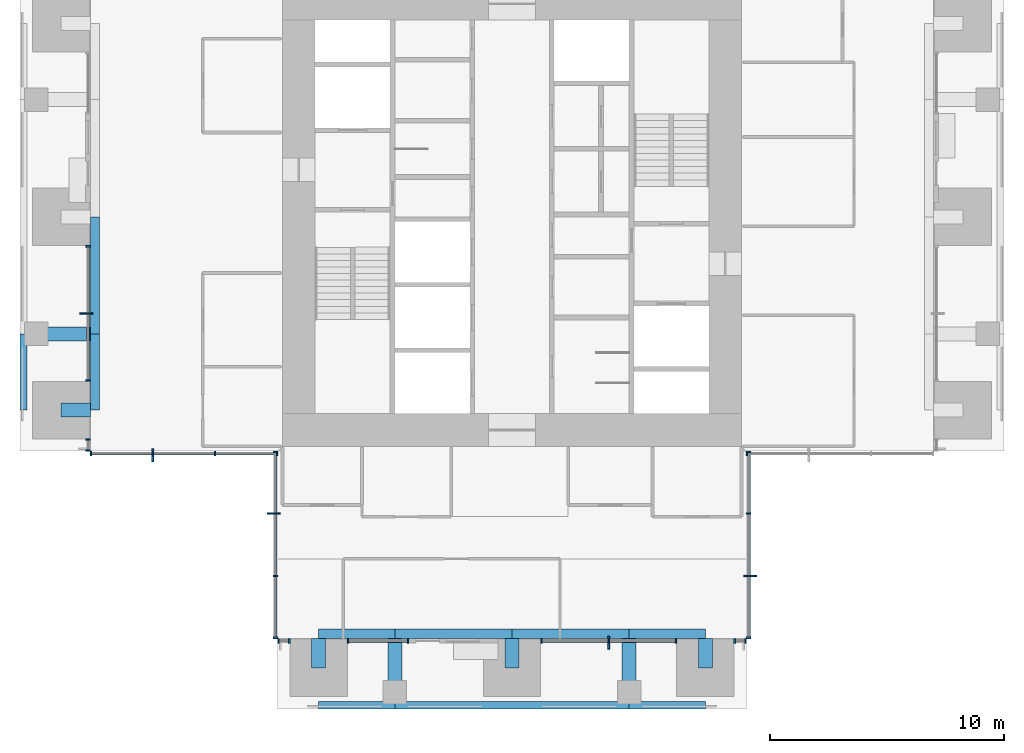
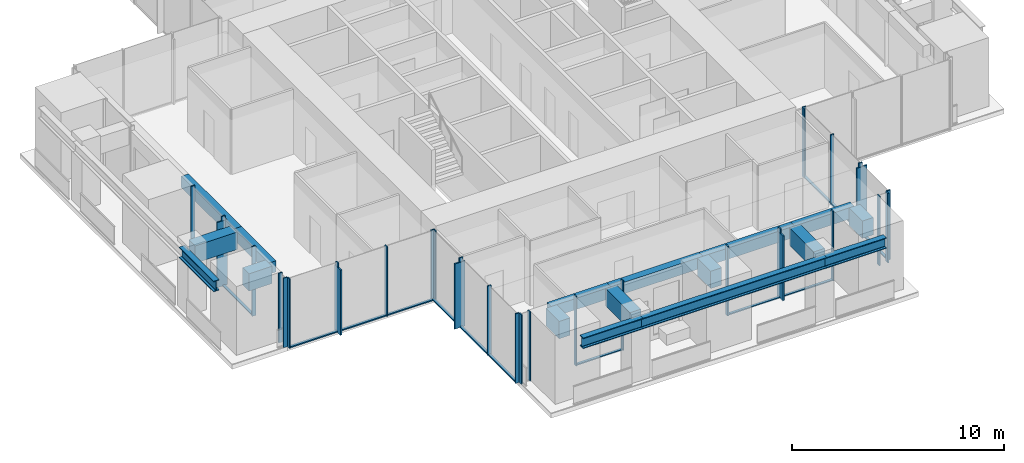
# One storey, part 2 of 17: 46 members, 17 beams, 10 elements without a shape of their own.
"""IFC4 building model written with IfcOpenShell, lengths in metres."""

from ifc_helpers import new_model, si_unit, direction, frame, origin, origin_2d, place, context, subcontext, project, spatial, rectangle, i_section, extrude, material, material_profile, profile_set, type_object, element, aggregate, save


model = new_model("IFC4")

# Units and contexts
model_context = context("Model", 3, precision=1e-05, world=origin(), true_north=direction((0.0, 1.0)))
body_context = subcontext(model_context, "Body", "Model", "MODEL_VIEW")
ifc_project = project(units=[si_unit("LENGTHUNIT", "METRE"), si_unit("AREAUNIT", "SQUARE_METRE"), si_unit("VOLUMEUNIT", "CUBIC_METRE"), si_unit("PLANEANGLEUNIT", "RADIAN"), si_unit("MASSUNIT", "GRAM", prefix="KILO")], contexts=[model_context])

# Site, building, storey
site_placement = place(None, origin())
site = spatial("IfcSite", under=ifc_project, at=site_placement, CompositionType="ELEMENT")
building_placement = place(site_placement, origin())
building = spatial("IfcBuilding", under=site, at=building_placement, Name="Svetlomir Tower", CompositionType="ELEMENT")
storey_placement = place(building_placement, frame((0.0, 0.0, 190.5)))
storey = spatial("IfcBuildingStorey", under=building, at=storey_placement, Name="L45", CompositionType="ELEMENT", Elevation=190.5)

# Curtain wall, member
ifc_material_1 = material(Name="Bronze anodised aluminium curtain wall", Category="aluminium")
curtain_wall_type = type_object("IfcCurtainWallType", Name="CURTAIN WALL CW1 TOWER OFFICE", PredefinedType="NOTDEFINED", material=ifc_material_1)
curtain_wall_1_placement = place(storey_placement, origin())
curtain_wall_1 = element("IfcCurtainWall", 1, at=curtain_wall_1_placement, inside=storey, type_object=curtain_wall_type, Name="Curtain wall CW1 L45", PredefinedType="NOTDEFINED")
ifc_material_2 = material(Name="Bronze anodised aluminium", Category="aluminium")
ifc_material_profile_1 = material_profile(ifc_material_2, rectangle(XDim=0.080078125, YDim=0.550048828125, at=origin_2d()), Name="FIN 80x550")
ifc_profile_set_1 = profile_set([ifc_material_profile_1], Name="Bronze anodised aluminium 6063-T6")
member_type_1 = type_object("IfcMemberType", Name="BRONZE FIN 80x550", PredefinedType="USERDEFINED", material=ifc_profile_set_1)
member_1_placement = place(storey_placement, frame((25.125, 2.824951171875, 0.0), z_axis=(0.0, 0.0, 1.0), x_axis=(1.0, 0.0, 0.0)))
member_1 = element("IfcMember", 2, at=member_1_placement, type_object=member_type_1, Name="Bronze fin L45", ObjectType="FIN", PredefinedType="USERDEFINED", context=body_context, shape_type="SweptSolid", body=[
    extrude(rectangle(XDim=0.080078125, YDim=0.550048828125, at=origin_2d()), origin(), (0.0, 0.0, 1.0), 3.75),
])

curtain_wall_2_placement = place(storey_placement, origin())
curtain_wall_2 = element("IfcCurtainWall", 3, at=curtain_wall_2_placement, inside=storey, type_object=curtain_wall_type, Name="Curtain wall CW1 L45", PredefinedType="NOTDEFINED")
member_2_placement = place(storey_placement, frame((31.175048828125, 5.666748046875, 0.0), z_axis=(0.0, 0.0, 1.0), x_axis=(0.0, 1.0, 0.0)))
member_2 = element("IfcMember", 4, at=member_2_placement, type_object=member_type_1, Name="Bronze fin L45", ObjectType="FIN", PredefinedType="USERDEFINED", context=body_context, shape_type="SweptSolid", body=[
    extrude(rectangle(XDim=0.080078125, YDim=0.550048828125, at=origin_2d()), origin(), (0.0, 0.0, 1.0), 3.75),
])

curtain_wall_3_placement = place(storey_placement, origin())
curtain_wall_3 = element("IfcCurtainWall", 5, at=curtain_wall_3_placement, inside=storey, type_object=curtain_wall_type, Name="Curtain wall CW1 L45", PredefinedType="NOTDEFINED")
member_3_placement = place(storey_placement, frame((2.824951171875, 16.875, 0.0), z_axis=(0.0, 0.0, 1.0), x_axis=(0.0, 1.0, 0.0)))
member_3 = element("IfcMember", 6, at=member_3_placement, type_object=member_type_1, Name="Bronze fin L45", ObjectType="FIN", PredefinedType="USERDEFINED", context=body_context, shape_type="SweptSolid", body=[
    extrude(rectangle(XDim=0.080078125, YDim=0.550048828125, at=origin_2d()), origin(), (0.0, 0.0, 1.0), 3.75),
])

curtain_wall_4_placement = place(storey_placement, origin())
curtain_wall_4 = element("IfcCurtainWall", 7, at=curtain_wall_4_placement, inside=storey, type_object=curtain_wall_type, Name="Curtain wall CW1 L45", PredefinedType="NOTDEFINED")
member_4_placement = place(storey_placement, frame((5.666748046875, 10.824951171875, 0.0), z_axis=(0.0, 0.0, 1.0), x_axis=(1.0, 0.0, 0.0)))
member_4 = element("IfcMember", 8, at=member_4_placement, type_object=member_type_1, Name="Bronze fin L45", ObjectType="FIN", PredefinedType="USERDEFINED", context=body_context, shape_type="SweptSolid", body=[
    extrude(rectangle(XDim=0.080078125, YDim=0.550048828125, at=origin_2d()), origin(), (0.0, 0.0, 1.0), 3.75),
])

curtain_wall_5_placement = place(storey_placement, origin())
curtain_wall_5 = element("IfcCurtainWall", 9, at=curtain_wall_5_placement, inside=storey, type_object=curtain_wall_type, Name="Curtain wall CW1 L45", PredefinedType="NOTDEFINED")
member_5_placement = place(storey_placement, frame((10.824951171875, 8.333251953125, 0.0), z_axis=(0.0, 0.0, 1.0), x_axis=(0.0, 1.0, 0.0)))
member_5 = element("IfcMember", 10, at=member_5_placement, type_object=member_type_1, Name="Bronze fin L45", ObjectType="FIN", PredefinedType="USERDEFINED", context=body_context, shape_type="SweptSolid", body=[
    extrude(rectangle(XDim=0.080078125, YDim=0.550048828125, at=origin_2d()), origin(), (0.0, 0.0, 1.0), 3.75),
])

# Curtain wall, members
curtain_wall_6_placement = place(storey_placement, origin())
curtain_wall_6 = element("IfcCurtainWall", 11, at=curtain_wall_6_placement, inside=storey, type_object=curtain_wall_type, Name="Curtain wall CW1 L45", PredefinedType="NOTDEFINED")
ifc_material_3 = material(Name="Bronze anodised aluminium", Category="aluminium")
ifc_material_profile_2 = material_profile(ifc_material_3, rectangle(XDim=0.06494140625, YDim=0.199951171875, at=origin_2d()), Name="AL 65x200")
ifc_profile_set_2 = profile_set([ifc_material_profile_2], Name="Bronze anodised aluminium 6063-T6")
member_type_2 = type_object("IfcMemberType", Name="CW1 MULLION 65x200", PredefinedType="MULLION", material=ifc_profile_set_2)
member_6_placement = place(storey_placement, frame((11.032470703125, 2.89990234375, 0.0), z_axis=(0.0, 0.0, 1.0), x_axis=(1.0, 0.0, 0.0)))
member_6 = element("IfcMember", 12, at=member_6_placement, type_object=member_type_2, Name="CW1 mullion 1", PredefinedType="MULLION", context=body_context, shape_type="SweptSolid", body=[
    extrude(rectangle(XDim=0.06494140625, YDim=0.199951171875, at=origin_2d()), origin(), (0.0, 0.0, 1.0), 4.0),
])
member_7_placement = place(storey_placement, frame((11.492431640625, 2.89990234375, 0.0), z_axis=(0.0, 0.0, 1.0), x_axis=(1.0, 0.0, 0.0)))
member_7 = element("IfcMember", 13, at=member_7_placement, type_object=member_type_2, Name="CW1 mullion 2", PredefinedType="MULLION", context=body_context, shape_type="SweptSolid", body=[
    extrude(rectangle(XDim=0.06494140625, YDim=0.199951171875, at=origin_2d()), origin(), (0.0, 0.0, 1.0), 4.0),
])
aggregate(curtain_wall_6, [member_6, member_7])

curtain_wall_7_placement = place(storey_placement, origin())
curtain_wall_7 = element("IfcCurtainWall", 14, at=curtain_wall_7_placement, inside=storey, type_object=curtain_wall_type, Name="Curtain wall CW1 L45", PredefinedType="NOTDEFINED")
member_8_placement = place(storey_placement, frame((14.007568359375, 2.89990234375, 0.0), z_axis=(0.0, 0.0, 1.0), x_axis=(1.0, 0.0, 0.0)))
member_8 = element("IfcMember", 15, at=member_8_placement, type_object=member_type_2, Name="CW1 mullion 1", PredefinedType="MULLION", context=body_context, shape_type="SweptSolid", body=[
    extrude(rectangle(XDim=0.06494140625, YDim=0.199951171875, at=origin_2d()), origin(), (0.0, 0.0, 1.0), 4.0),
])
member_9_placement = place(storey_placement, frame((16.5673828125, 2.89990234375, 0.0), z_axis=(0.0, 0.0, 1.0), x_axis=(1.0, 0.0, 0.0)))
member_9 = element("IfcMember", 16, at=member_9_placement, type_object=member_type_2, Name="CW1 mullion 2", PredefinedType="MULLION", context=body_context, shape_type="SweptSolid", body=[
    extrude(rectangle(XDim=0.06494140625, YDim=0.199951171875, at=origin_2d()), origin(), (0.0, 0.0, 1.0), 4.0),
])

# Member
member_10_placement = place(storey_placement, frame((22.257568359375, 2.89990234375, 0.0), z_axis=(0.0, 0.0, 1.0), x_axis=(1.0, 0.0, 0.0)))
member_10 = element("IfcMember", 17, at=member_10_placement, type_object=member_type_2, Name="CW1 mullion 1", PredefinedType="MULLION", context=body_context, shape_type="SweptSolid", body=[
    extrude(rectangle(XDim=0.06494140625, YDim=0.199951171875, at=origin_2d()), origin(), (0.0, 0.0, 1.0), 4.0),
])

member_11_placement = place(storey_placement, frame((25.125, 2.89990234375, 0.0), z_axis=(0.0, 0.0, 1.0), x_axis=(1.0, 0.0, 0.0)))
member_11 = element("IfcMember", 18, at=member_11_placement, type_object=member_type_2, Name="CW1 mullion 2", PredefinedType="MULLION", context=body_context, shape_type="SweptSolid", body=[
    extrude(rectangle(XDim=0.06494140625, YDim=0.199951171875, at=origin_2d()), origin(), (0.0, 0.0, 1.0), 4.0),
])

member_12_placement = place(storey_placement, frame((27.992431640625, 2.89990234375, 0.0), z_axis=(0.0, 0.0, 1.0), x_axis=(1.0, 0.0, 0.0)))
member_12 = element("IfcMember", 19, at=member_12_placement, type_object=member_type_2, Name="CW1 mullion 3", PredefinedType="MULLION", context=body_context, shape_type="SweptSolid", body=[
    extrude(rectangle(XDim=0.06494140625, YDim=0.199951171875, at=origin_2d()), origin(), (0.0, 0.0, 1.0), 4.0),
])

# Curtain wall, members
curtain_wall_8_placement = place(storey_placement, origin())
curtain_wall_8 = element("IfcCurtainWall", 20, at=curtain_wall_8_placement, inside=storey, type_object=curtain_wall_type, Name="Curtain wall CW1 L45", PredefinedType="NOTDEFINED")
member_13_placement = place(storey_placement, frame((30.507568359375, 2.89990234375, 0.0), z_axis=(0.0, 0.0, 1.0), x_axis=(1.0, 0.0, 0.0)))
member_13 = element("IfcMember", 21, at=member_13_placement, type_object=member_type_2, Name="CW1 mullion 1", PredefinedType="MULLION", context=body_context, shape_type="SweptSolid", body=[
    extrude(rectangle(XDim=0.06494140625, YDim=0.199951171875, at=origin_2d()), origin(), (0.0, 0.0, 1.0), 4.0),
])
member_14_placement = place(storey_placement, frame((30.967529296875, 2.89990234375, 0.0), z_axis=(0.0, 0.0, 1.0), x_axis=(1.0, 0.0, 0.0)))
member_14 = element("IfcMember", 22, at=member_14_placement, type_object=member_type_2, Name="CW1 mullion 2", PredefinedType="MULLION", context=body_context, shape_type="SweptSolid", body=[
    extrude(rectangle(XDim=0.06494140625, YDim=0.199951171875, at=origin_2d()), origin(), (0.0, 0.0, 1.0), 4.0),
])
aggregate(curtain_wall_8, [member_13, member_14])

# Member
member_15_placement = place(storey_placement, frame((31.10009765625, 3.032470703125, 0.0), z_axis=(0.0, 0.0, 1.0), x_axis=(0.0, 1.0, 0.0)))
member_15 = element("IfcMember", 23, at=member_15_placement, type_object=member_type_2, Name="CW1 mullion 1", PredefinedType="MULLION", context=body_context, shape_type="SweptSolid", body=[
    extrude(rectangle(XDim=0.06494140625, YDim=0.199951171875, at=origin_2d()), origin(), (0.0, 0.0, 1.0), 4.0),
])

member_16_placement = place(storey_placement, frame((31.10009765625, 5.666748046875, 0.0), z_axis=(0.0, 0.0, 1.0), x_axis=(0.0, 1.0, 0.0)))
member_16 = element("IfcMember", 24, at=member_16_placement, type_object=member_type_2, Name="CW1 mullion 2", PredefinedType="MULLION", context=body_context, shape_type="SweptSolid", body=[
    extrude(rectangle(XDim=0.06494140625, YDim=0.199951171875, at=origin_2d()), origin(), (0.0, 0.0, 1.0), 4.0),
])

member_17_placement = place(storey_placement, frame((31.10009765625, 8.333251953125, 0.0), z_axis=(0.0, 0.0, 1.0), x_axis=(0.0, 1.0, 0.0)))
member_17 = element("IfcMember", 25, at=member_17_placement, type_object=member_type_2, Name="CW1 mullion 3", PredefinedType="MULLION", context=body_context, shape_type="SweptSolid", body=[
    extrude(rectangle(XDim=0.06494140625, YDim=0.199951171875, at=origin_2d()), origin(), (0.0, 0.0, 1.0), 4.0),
])

member_18_placement = place(storey_placement, frame((31.10009765625, 10.967529296875, 0.0), z_axis=(0.0, 0.0, 1.0), x_axis=(0.0, 1.0, 0.0)))
member_18 = element("IfcMember", 26, at=member_18_placement, type_object=member_type_2, Name="CW1 mullion 4", PredefinedType="MULLION", context=body_context, shape_type="SweptSolid", body=[
    extrude(rectangle(XDim=0.06494140625, YDim=0.199951171875, at=origin_2d()), origin(), (0.0, 0.0, 1.0), 4.0),
])

# Curtain wall, member
curtain_wall_9_placement = place(storey_placement, origin())
curtain_wall_9 = element("IfcCurtainWall", 27, at=curtain_wall_9_placement, inside=storey, type_object=curtain_wall_type, Name="Curtain wall CW1 L45", PredefinedType="NOTDEFINED")
member_19_placement = place(storey_placement, frame((31.032470703125, 10.89990234375, 0.0), z_axis=(0.0, 0.0, 1.0), x_axis=(1.0, 0.0, 0.0)))
member_19 = element("IfcMember", 28, at=member_19_placement, type_object=member_type_2, Name="CW1 mullion 1", PredefinedType="MULLION", context=body_context, shape_type="SweptSolid", body=[
    extrude(rectangle(XDim=0.06494140625, YDim=0.199951171875, at=origin_2d()), origin(), (0.0, 0.0, 1.0), 4.0),
])
aggregate(curtain_wall_9, [member_19])

# Member
member_20_placement = place(storey_placement, frame((2.89990234375, 19.742431640625, 0.0), z_axis=(0.0, 0.0, 1.0), x_axis=(0.0, -1.0, 0.0)))
member_20 = element("IfcMember", 29, at=member_20_placement, type_object=member_type_2, Name="CW1 mullion 1", PredefinedType="MULLION", context=body_context, shape_type="SweptSolid", body=[
    extrude(rectangle(XDim=0.06494140625, YDim=0.199951171875, at=origin_2d()), origin(), (0.0, 0.0, 1.0), 4.0),
])

member_21_placement = place(storey_placement, frame((2.89990234375, 16.875, 0.0), z_axis=(0.0, 0.0, 1.0), x_axis=(0.0, -1.0, 0.0)))
member_21 = element("IfcMember", 30, at=member_21_placement, type_object=member_type_2, Name="CW1 mullion 2", PredefinedType="MULLION", context=body_context, shape_type="SweptSolid", body=[
    extrude(rectangle(XDim=0.06494140625, YDim=0.199951171875, at=origin_2d()), origin(), (0.0, 0.0, 1.0), 4.0),
])

member_22_placement = place(storey_placement, frame((2.89990234375, 14.007568359375, 0.0), z_axis=(0.0, 0.0, 1.0), x_axis=(0.0, -1.0, 0.0)))
member_22 = element("IfcMember", 31, at=member_22_placement, type_object=member_type_2, Name="CW1 mullion 3", PredefinedType="MULLION", context=body_context, shape_type="SweptSolid", body=[
    extrude(rectangle(XDim=0.06494140625, YDim=0.199951171875, at=origin_2d()), origin(), (0.0, 0.0, 1.0), 4.0),
])

# Curtain wall, members
curtain_wall_10_placement = place(storey_placement, origin())
curtain_wall_10 = element("IfcCurtainWall", 32, at=curtain_wall_10_placement, inside=storey, type_object=curtain_wall_type, Name="Curtain wall CW1 L45", PredefinedType="NOTDEFINED")
member_23_placement = place(storey_placement, frame((2.89990234375, 11.492431640625, 0.0), z_axis=(0.0, 0.0, 1.0), x_axis=(0.0, -1.0, 0.0)))
member_23 = element("IfcMember", 33, at=member_23_placement, type_object=member_type_2, Name="CW1 mullion 1", PredefinedType="MULLION", context=body_context, shape_type="SweptSolid", body=[
    extrude(rectangle(XDim=0.06494140625, YDim=0.199951171875, at=origin_2d()), origin(), (0.0, 0.0, 1.0), 4.0),
])
member_24_placement = place(storey_placement, frame((2.89990234375, 11.032470703125, 0.0), z_axis=(0.0, 0.0, 1.0), x_axis=(0.0, -1.0, 0.0)))
member_24 = element("IfcMember", 34, at=member_24_placement, type_object=member_type_2, Name="CW1 mullion 2", PredefinedType="MULLION", context=body_context, shape_type="SweptSolid", body=[
    extrude(rectangle(XDim=0.06494140625, YDim=0.199951171875, at=origin_2d()), origin(), (0.0, 0.0, 1.0), 4.0),
])
aggregate(curtain_wall_10, [member_23, member_24])

# Member
member_25_placement = place(storey_placement, frame((3.032470703125, 10.89990234375, 0.0), z_axis=(0.0, 0.0, 1.0), x_axis=(1.0, 0.0, 0.0)))
member_25 = element("IfcMember", 35, at=member_25_placement, type_object=member_type_2, Name="CW1 mullion 1", PredefinedType="MULLION", context=body_context, shape_type="SweptSolid", body=[
    extrude(rectangle(XDim=0.06494140625, YDim=0.199951171875, at=origin_2d()), origin(), (0.0, 0.0, 1.0), 4.0),
])

member_26_placement = place(storey_placement, frame((5.666748046875, 10.89990234375, 0.0), z_axis=(0.0, 0.0, 1.0), x_axis=(1.0, 0.0, 0.0)))
member_26 = element("IfcMember", 36, at=member_26_placement, type_object=member_type_2, Name="CW1 mullion 2", PredefinedType="MULLION", context=body_context, shape_type="SweptSolid", body=[
    extrude(rectangle(XDim=0.06494140625, YDim=0.199951171875, at=origin_2d()), origin(), (0.0, 0.0, 1.0), 4.0),
])

member_27_placement = place(storey_placement, frame((8.333251953125, 10.89990234375, 0.0), z_axis=(0.0, 0.0, 1.0), x_axis=(1.0, 0.0, 0.0)))
member_27 = element("IfcMember", 37, at=member_27_placement, type_object=member_type_2, Name="CW1 mullion 3", PredefinedType="MULLION", context=body_context, shape_type="SweptSolid", body=[
    extrude(rectangle(XDim=0.06494140625, YDim=0.199951171875, at=origin_2d()), origin(), (0.0, 0.0, 1.0), 4.0),
])

member_28_placement = place(storey_placement, frame((10.967529296875, 10.89990234375, 0.0), z_axis=(0.0, 0.0, 1.0), x_axis=(1.0, 0.0, 0.0)))
member_28 = element("IfcMember", 38, at=member_28_placement, type_object=member_type_2, Name="CW1 mullion 4", PredefinedType="MULLION", context=body_context, shape_type="SweptSolid", body=[
    extrude(rectangle(XDim=0.06494140625, YDim=0.199951171875, at=origin_2d()), origin(), (0.0, 0.0, 1.0), 4.0),
])

member_29_placement = place(storey_placement, frame((10.89990234375, 10.967529296875, 0.0), z_axis=(0.0, 0.0, 1.0), x_axis=(0.0, -1.0, 0.0)))
member_29 = element("IfcMember", 39, at=member_29_placement, type_object=member_type_2, Name="CW1 mullion 1", PredefinedType="MULLION", context=body_context, shape_type="SweptSolid", body=[
    extrude(rectangle(XDim=0.06494140625, YDim=0.199951171875, at=origin_2d()), origin(), (0.0, 0.0, 1.0), 4.0),
])

member_30_placement = place(storey_placement, frame((10.89990234375, 8.333251953125, 0.0), z_axis=(0.0, 0.0, 1.0), x_axis=(0.0, -1.0, 0.0)))
member_30 = element("IfcMember", 40, at=member_30_placement, type_object=member_type_2, Name="CW1 mullion 2", PredefinedType="MULLION", context=body_context, shape_type="SweptSolid", body=[
    extrude(rectangle(XDim=0.06494140625, YDim=0.199951171875, at=origin_2d()), origin(), (0.0, 0.0, 1.0), 4.0),
])

member_31_placement = place(storey_placement, frame((10.89990234375, 5.666748046875, 0.0), z_axis=(0.0, 0.0, 1.0), x_axis=(0.0, -1.0, 0.0)))
member_31 = element("IfcMember", 41, at=member_31_placement, type_object=member_type_2, Name="CW1 mullion 3", PredefinedType="MULLION", context=body_context, shape_type="SweptSolid", body=[
    extrude(rectangle(XDim=0.06494140625, YDim=0.199951171875, at=origin_2d()), origin(), (0.0, 0.0, 1.0), 4.0),
])

member_32_placement = place(storey_placement, frame((10.89990234375, 3.032470703125, 0.0), z_axis=(0.0, 0.0, 1.0), x_axis=(0.0, -1.0, 0.0)))
member_32 = element("IfcMember", 42, at=member_32_placement, type_object=member_type_2, Name="CW1 mullion 4", PredefinedType="MULLION", context=body_context, shape_type="SweptSolid", body=[
    extrude(rectangle(XDim=0.06494140625, YDim=0.199951171875, at=origin_2d()), origin(), (0.0, 0.0, 1.0), 4.0),
])

ifc_material_4 = material(Name="Bronze anodised aluminium", Category="aluminium")
ifc_material_profile_3 = material_profile(ifc_material_4, rectangle(XDim=0.139892578125, YDim=0.06494140625, at=origin_2d()), Name="AL 140x65")
ifc_profile_set_3 = profile_set([ifc_material_profile_3], Name="Bronze anodised aluminium 6063-T6")
member_type_3 = type_object("IfcMemberType", Name="CW1 TRANSOM 65x140", PredefinedType="USERDEFINED", material=ifc_profile_set_3)
member_33_placement = place(storey_placement, frame((14.0400390625, 2.89990234375, 0.032470703125), z_axis=(1.0, 0.0, 0.0), x_axis=(0.0, 1.0, 0.0)))
member_33 = element("IfcMember", 43, at=member_33_placement, type_object=member_type_3, Name="CW1 transom 1.1", ObjectType="TRANSOM", PredefinedType="USERDEFINED", context=body_context, shape_type="SweptSolid", body=[
    extrude(rectangle(XDim=0.139892578125, YDim=0.06494140625, at=origin_2d()), origin(), (0.0, 0.0, 1.0), 2.494873046875),
])

aggregate(curtain_wall_7, [member_8, member_9, member_33])

member_34_placement = place(storey_placement, frame((22.2900390625, 2.89990234375, 0.032470703125), z_axis=(1.0, 0.0, 0.0), x_axis=(0.0, 1.0, 0.0)))
member_34 = element("IfcMember", 44, at=member_34_placement, type_object=member_type_3, Name="CW1 transom 1.1", ObjectType="TRANSOM", PredefinedType="USERDEFINED", context=body_context, shape_type="SweptSolid", body=[
    extrude(rectangle(XDim=0.139892578125, YDim=0.06494140625, at=origin_2d()), origin(), (0.0, 0.0, 1.0), 2.802490234375),
])

member_35_placement = place(storey_placement, frame((25.157470703125, 2.89990234375, 0.032470703125), z_axis=(1.0, 0.0, 0.0), x_axis=(0.0, 1.0, 0.0)))
member_35 = element("IfcMember", 45, at=member_35_placement, type_object=member_type_3, Name="CW1 transom 2.1", ObjectType="TRANSOM", PredefinedType="USERDEFINED", context=body_context, shape_type="SweptSolid", body=[
    extrude(rectangle(XDim=0.139892578125, YDim=0.06494140625, at=origin_2d()), origin(), (0.0, 0.0, 1.0), 2.802490234375),
])

aggregate(curtain_wall_1, [member_10, member_11, member_12, member_34, member_35, member_1])

member_36_placement = place(storey_placement, frame((31.10009765625, 3.06494140625, 0.032470703125), z_axis=(0.0, 1.0, 0.0), x_axis=(-1.0, 0.0, 0.0)))
member_36 = element("IfcMember", 46, at=member_36_placement, type_object=member_type_3, Name="CW1 transom 1.1", ObjectType="TRANSOM", PredefinedType="USERDEFINED", context=body_context, shape_type="SweptSolid", body=[
    extrude(rectangle(XDim=0.139892578125, YDim=0.06494140625, at=origin_2d()), origin(), (0.0, 0.0, 1.0), 2.5693359375),
])

member_37_placement = place(storey_placement, frame((31.10009765625, 5.69921875, 0.032470703125), z_axis=(0.0, 1.0, 0.0), x_axis=(-1.0, 0.0, 0.0)))
member_37 = element("IfcMember", 47, at=member_37_placement, type_object=member_type_3, Name="CW1 transom 2.1", ObjectType="TRANSOM", PredefinedType="USERDEFINED", context=body_context, shape_type="SweptSolid", body=[
    extrude(rectangle(XDim=0.139892578125, YDim=0.06494140625, at=origin_2d()), origin(), (0.0, 0.0, 1.0), 2.6015625),
])

member_38_placement = place(storey_placement, frame((31.10009765625, 8.36572265625, 0.032470703125), z_axis=(0.0, 1.0, 0.0), x_axis=(-1.0, 0.0, 0.0)))
member_38 = element("IfcMember", 48, at=member_38_placement, type_object=member_type_3, Name="CW1 transom 3.1", ObjectType="TRANSOM", PredefinedType="USERDEFINED", context=body_context, shape_type="SweptSolid", body=[
    extrude(rectangle(XDim=0.139892578125, YDim=0.06494140625, at=origin_2d()), origin(), (0.0, 0.0, 1.0), 2.5693359375),
])

aggregate(curtain_wall_2, [member_15, member_16, member_17, member_18, member_36, member_37, member_38, member_2])

member_39_placement = place(storey_placement, frame((2.89990234375, 19.7099609375, 0.032470703125), z_axis=(0.0, -1.0, 0.0), x_axis=(1.0, 0.0, 0.0)))
member_39 = element("IfcMember", 49, at=member_39_placement, type_object=member_type_3, Name="CW1 transom 1.1", ObjectType="TRANSOM", PredefinedType="USERDEFINED", context=body_context, shape_type="SweptSolid", body=[
    extrude(rectangle(XDim=0.139892578125, YDim=0.06494140625, at=origin_2d()), origin(), (0.0, 0.0, 1.0), 2.802490234375),
])

member_40_placement = place(storey_placement, frame((2.89990234375, 16.842529296875, 0.032470703125), z_axis=(0.0, -1.0, 0.0), x_axis=(1.0, 0.0, 0.0)))
member_40 = element("IfcMember", 50, at=member_40_placement, type_object=member_type_3, Name="CW1 transom 2.1", ObjectType="TRANSOM", PredefinedType="USERDEFINED", context=body_context, shape_type="SweptSolid", body=[
    extrude(rectangle(XDim=0.139892578125, YDim=0.06494140625, at=origin_2d()), origin(), (0.0, 0.0, 1.0), 2.802490234375),
])

aggregate(curtain_wall_3, [member_20, member_21, member_22, member_39, member_40, member_3])

member_41_placement = place(storey_placement, frame((3.06494140625, 10.89990234375, 0.032470703125), z_axis=(1.0, 0.0, 0.0), x_axis=(0.0, 1.0, 0.0)))
member_41 = element("IfcMember", 51, at=member_41_placement, type_object=member_type_3, Name="CW1 transom 1.1", ObjectType="TRANSOM", PredefinedType="USERDEFINED", context=body_context, shape_type="SweptSolid", body=[
    extrude(rectangle(XDim=0.139892578125, YDim=0.06494140625, at=origin_2d()), origin(), (0.0, 0.0, 1.0), 2.5693359375),
])

member_42_placement = place(storey_placement, frame((5.69921875, 10.89990234375, 0.032470703125), z_axis=(1.0, 0.0, 0.0), x_axis=(0.0, 1.0, 0.0)))
member_42 = element("IfcMember", 52, at=member_42_placement, type_object=member_type_3, Name="CW1 transom 2.1", ObjectType="TRANSOM", PredefinedType="USERDEFINED", context=body_context, shape_type="SweptSolid", body=[
    extrude(rectangle(XDim=0.139892578125, YDim=0.06494140625, at=origin_2d()), origin(), (0.0, 0.0, 1.0), 2.6015625),
])

member_43_placement = place(storey_placement, frame((8.36572265625, 10.89990234375, 0.032470703125), z_axis=(1.0, 0.0, 0.0), x_axis=(0.0, 1.0, 0.0)))
member_43 = element("IfcMember", 53, at=member_43_placement, type_object=member_type_3, Name="CW1 transom 3.1", ObjectType="TRANSOM", PredefinedType="USERDEFINED", context=body_context, shape_type="SweptSolid", body=[
    extrude(rectangle(XDim=0.139892578125, YDim=0.06494140625, at=origin_2d()), origin(), (0.0, 0.0, 1.0), 2.5693359375),
])

aggregate(curtain_wall_4, [member_25, member_26, member_27, member_28, member_41, member_42, member_43, member_4])

member_44_placement = place(storey_placement, frame((10.89990234375, 10.93505859375, 0.032470703125), z_axis=(0.0, -1.0, 0.0), x_axis=(1.0, 0.0, 0.0)))
member_44 = element("IfcMember", 54, at=member_44_placement, type_object=member_type_3, Name="CW1 transom 1.1", ObjectType="TRANSOM", PredefinedType="USERDEFINED", context=body_context, shape_type="SweptSolid", body=[
    extrude(rectangle(XDim=0.139892578125, YDim=0.06494140625, at=origin_2d()), origin(), (0.0, 0.0, 1.0), 2.5693359375),
])

member_45_placement = place(storey_placement, frame((10.89990234375, 8.30078125, 0.032470703125), z_axis=(0.0, -1.0, 0.0), x_axis=(1.0, 0.0, 0.0)))
member_45 = element("IfcMember", 55, at=member_45_placement, type_object=member_type_3, Name="CW1 transom 2.1", ObjectType="TRANSOM", PredefinedType="USERDEFINED", context=body_context, shape_type="SweptSolid", body=[
    extrude(rectangle(XDim=0.139892578125, YDim=0.06494140625, at=origin_2d()), origin(), (0.0, 0.0, 1.0), 2.6015625),
])

member_46_placement = place(storey_placement, frame((10.89990234375, 5.63427734375, 0.032470703125), z_axis=(0.0, -1.0, 0.0), x_axis=(1.0, 0.0, 0.0)))
member_46 = element("IfcMember", 56, at=member_46_placement, type_object=member_type_3, Name="CW1 transom 3.1", ObjectType="TRANSOM", PredefinedType="USERDEFINED", context=body_context, shape_type="SweptSolid", body=[
    extrude(rectangle(XDim=0.139892578125, YDim=0.06494140625, at=origin_2d()), origin(), (0.0, 0.0, 1.0), 2.5693359375),
])

aggregate(curtain_wall_5, [member_29, member_30, member_31, member_32, member_44, member_45, member_46, member_5])

# Beams
ifc_material_5 = material(Name="Steel S355", Category="steel")
ifc_material_profile_4 = material_profile(ifc_material_5, i_section(OverallWidth=0.304931640625, OverallDepth=0.6201171875, WebThickness=0.02099609375, FlangeThickness=0.0400390625, FilletRadius=0.027099609375, at=origin_2d()), Name="HEM 600")
ifc_profile_set_4 = profile_set([ifc_material_profile_4], Name="Steel S355")
beam_type_1 = type_object("IfcBeamType", Name="EDGE BEAM HEM 600", PredefinedType="SPANDREL", material=ifc_profile_set_4)
for number, where, z_axis, x_axis, name in (
    (57, (12.75, 0.152587890625, 3.43994140625), (1.0, 0.0, 0.0), (0.0, 1.0, 0.0), "Edge beam 11/0 to 16/0 under L46"),
    (58, (0.152587890625, 12.75, 3.43994140625), (0.0, 1.0, 0.0), (-1.0, 0.0, 0.0), "Edge beam 0/11 to 0/16 under L46"),
):
    element("IfcBeam", number, at=place(storey_placement, frame(where, z_axis=z_axis, x_axis=x_axis)), inside=storey, type_object=beam_type_1, Name=name, PredefinedType="SPANDREL", context=body_context, shape_type="SweptSolid", body=[
        extrude(i_section(OverallWidth=0.304931640625, OverallDepth=0.6201171875, WebThickness=0.02099609375, FlangeThickness=0.0400390625, FilletRadius=0.027099609375, at=origin_2d()), origin(), (0.0, 0.0, 1.0), 3.25),
    ])
beam_1_placement = place(storey_placement, frame((16.0, 0.152587890625, 3.43994140625), z_axis=(1.0, 0.0, 0.0), x_axis=(0.0, 1.0, 0.0)))
element("IfcBeam", 59, at=beam_1_placement, inside=storey, type_object=beam_type_1, Name="Edge beam 16/0 to 26/0 under L46", PredefinedType="SPANDREL", context=body_context, shape_type="SweptSolid", body=[
    extrude(i_section(OverallWidth=0.304931640625, OverallDepth=0.6201171875, WebThickness=0.02099609375, FlangeThickness=0.0400390625, FilletRadius=0.027099609375, at=origin_2d()), origin(), (0.0, 0.0, 1.0), 10.0),
])
beam_2_placement = place(storey_placement, frame((26.0, 0.152587890625, 3.43994140625), z_axis=(1.0, 0.0, 0.0), x_axis=(0.0, 1.0, 0.0)))
element("IfcBeam", 60, at=beam_2_placement, inside=storey, type_object=beam_type_1, Name="Edge beam 26/0 to 31/0 under L46", PredefinedType="SPANDREL", context=body_context, shape_type="SweptSolid", body=[
    extrude(i_section(OverallWidth=0.304931640625, OverallDepth=0.6201171875, WebThickness=0.02099609375, FlangeThickness=0.0400390625, FilletRadius=0.027099609375, at=origin_2d()), origin(), (0.0, 0.0, 1.0), 3.25),
])
ifc_material_6 = material(Name="Concrete C60/75", Category="concrete")
ifc_material_profile_5 = material_profile(ifc_material_6, rectangle(XDim=0.39990234375, YDim=0.64990234375, at=origin_2d()), Name="RC 400x650")
ifc_profile_set_5 = profile_set([ifc_material_profile_5], Name="Concrete C60/75")
beam_type_2 = type_object("IfcBeamType", Name="FACADE EDGE BEAM RC 400x650", PredefinedType="BEAM", material=ifc_profile_set_5)
beam_3_placement = place(storey_placement, frame((12.75, 3.199951171875, 3.425048828125), z_axis=(1.0, 0.0, 0.0), x_axis=(0.0, 1.0, 0.0)))
element("IfcBeam", 61, at=beam_3_placement, inside=storey, type_object=beam_type_2, Name="Facade edge beam S 11 to 16 under L46", PredefinedType="BEAM", context=body_context, shape_type="SweptSolid", body=[
    extrude(rectangle(XDim=0.39990234375, YDim=0.64990234375, at=origin_2d()), origin(), (0.0, 0.0, 1.0), 3.25),
])
for number, where, z_axis, x_axis, name in (
    (62, (16.0, 3.199951171875, 3.425048828125), (1.0, 0.0, 0.0), (0.0, 1.0, 0.0), "Facade edge beam S 16 to 21 under L46"),
    (63, (21.0, 3.199951171875, 3.425048828125), (1.0, 0.0, 0.0), (0.0, 1.0, 0.0), "Facade edge beam S 21 to 26 under L46"),
):
    element("IfcBeam", number, at=place(storey_placement, frame(where, z_axis=z_axis, x_axis=x_axis)), inside=storey, type_object=beam_type_2, Name=name, PredefinedType="BEAM", context=body_context, shape_type="SweptSolid", body=[
        extrude(rectangle(XDim=0.39990234375, YDim=0.64990234375, at=origin_2d()), origin(), (0.0, 0.0, 1.0), 5.0),
    ])
for number, where, z_axis, x_axis, name in (
    (64, (26.0, 3.199951171875, 3.425048828125), (1.0, 0.0, 0.0), (0.0, 1.0, 0.0), "Facade edge beam S 26 to 31 under L46"),
    (65, (3.199951171875, 12.75, 3.425048828125), (0.0, 1.0, 0.0), (-1.0, 0.0, 0.0), "Facade edge beam W 11 to 16 under L46"),
):
    element("IfcBeam", number, at=place(storey_placement, frame(where, z_axis=z_axis, x_axis=x_axis)), inside=storey, type_object=beam_type_2, Name=name, PredefinedType="BEAM", context=body_context, shape_type="SweptSolid", body=[
        extrude(rectangle(XDim=0.39990234375, YDim=0.64990234375, at=origin_2d()), origin(), (0.0, 0.0, 1.0), 3.25),
    ])
beam_4_placement = place(storey_placement, frame((3.199951171875, 16.0, 3.425048828125), z_axis=(0.0, 1.0, 0.0), x_axis=(-1.0, 0.0, 0.0)))
element("IfcBeam", 66, at=beam_4_placement, inside=storey, type_object=beam_type_2, Name="Facade edge beam W 16 to 21 under L46", PredefinedType="BEAM", context=body_context, shape_type="SweptSolid", body=[
    extrude(rectangle(XDim=0.39990234375, YDim=0.64990234375, at=origin_2d()), origin(), (0.0, 0.0, 1.0), 5.0),
])
ifc_material_7 = material(Name="Concrete C60/75", Category="concrete")
ifc_material_profile_6 = material_profile(ifc_material_7, rectangle(XDim=0.60009765625, YDim=1.0, at=origin_2d()), Name="RC 600x1000")
ifc_profile_set_6 = profile_set([ifc_material_profile_6], Name="Concrete C60/75")
beam_type_3 = type_object("IfcBeamType", Name="LOGGIA LINK BEAM RC 600x1000", PredefinedType="BEAM", material=ifc_profile_set_6)
beam_5_placement = place(storey_placement, frame((12.75, 1.75, 3.25), z_axis=(0.0, 1.0, 0.0), x_axis=(-1.0, 0.0, 0.0)))
element("IfcBeam", 67, at=beam_5_placement, inside=storey, type_object=beam_type_3, Name="Loggia link beam S 11 under L46", PredefinedType="BEAM", context=body_context, shape_type="SweptSolid", body=[
    extrude(rectangle(XDim=0.60009765625, YDim=1.0, at=origin_2d()), origin(), (0.0, 0.0, 1.0), 1.25),
])
beam_6_placement = place(storey_placement, frame((16.0, 0.699951171875, 3.25), z_axis=(0.0, 1.0, 0.0), x_axis=(-1.0, 0.0, 0.0)))
element("IfcBeam", 68, at=beam_6_placement, inside=storey, type_object=beam_type_3, Name="Loggia link beam S 16 under L46", PredefinedType="BEAM", context=body_context, shape_type="SweptSolid", body=[
    extrude(rectangle(XDim=0.60009765625, YDim=1.0, at=origin_2d()), origin(), (0.0, 0.0, 1.0), 2.300048828125),
])
beam_7_placement = place(storey_placement, frame((21.0, 1.75, 3.25), z_axis=(0.0, 1.0, 0.0), x_axis=(-1.0, 0.0, 0.0)))
element("IfcBeam", 69, at=beam_7_placement, inside=storey, type_object=beam_type_3, Name="Loggia link beam S 21 under L46", PredefinedType="BEAM", context=body_context, shape_type="SweptSolid", body=[
    extrude(rectangle(XDim=0.60009765625, YDim=1.0, at=origin_2d()), origin(), (0.0, 0.0, 1.0), 1.25),
])
beam_8_placement = place(storey_placement, frame((26.0, 0.699951171875, 3.25), z_axis=(0.0, 1.0, 0.0), x_axis=(-1.0, 0.0, 0.0)))
element("IfcBeam", 70, at=beam_8_placement, inside=storey, type_object=beam_type_3, Name="Loggia link beam S 26 under L46", PredefinedType="BEAM", context=body_context, shape_type="SweptSolid", body=[
    extrude(rectangle(XDim=0.60009765625, YDim=1.0, at=origin_2d()), origin(), (0.0, 0.0, 1.0), 2.300048828125),
])
for number, where, z_axis, x_axis, name in (
    (71, (29.25, 1.75, 3.25), (0.0, 1.0, 0.0), (-1.0, 0.0, 0.0), "Loggia link beam S 31 under L46"),
    (72, (1.75, 12.75, 3.25), (1.0, 0.0, 0.0), (0.0, 1.0, 0.0), "Loggia link beam W 11 under L46"),
):
    element("IfcBeam", number, at=place(storey_placement, frame(where, z_axis=z_axis, x_axis=x_axis)), inside=storey, type_object=beam_type_3, Name=name, PredefinedType="BEAM", context=body_context, shape_type="SweptSolid", body=[
        extrude(rectangle(XDim=0.60009765625, YDim=1.0, at=origin_2d()), origin(), (0.0, 0.0, 1.0), 1.25),
    ])
beam_9_placement = place(storey_placement, frame((0.699951171875, 16.0, 3.25), z_axis=(1.0, 0.0, 0.0), x_axis=(0.0, 1.0, 0.0)))
element("IfcBeam", 73, at=beam_9_placement, inside=storey, type_object=beam_type_3, Name="Loggia link beam W 16 under L46", PredefinedType="BEAM", context=body_context, shape_type="SweptSolid", body=[
    extrude(rectangle(XDim=0.60009765625, YDim=1.0, at=origin_2d()), origin(), (0.0, 0.0, 1.0), 2.300048828125),
])

save(model, "model.ifc")
